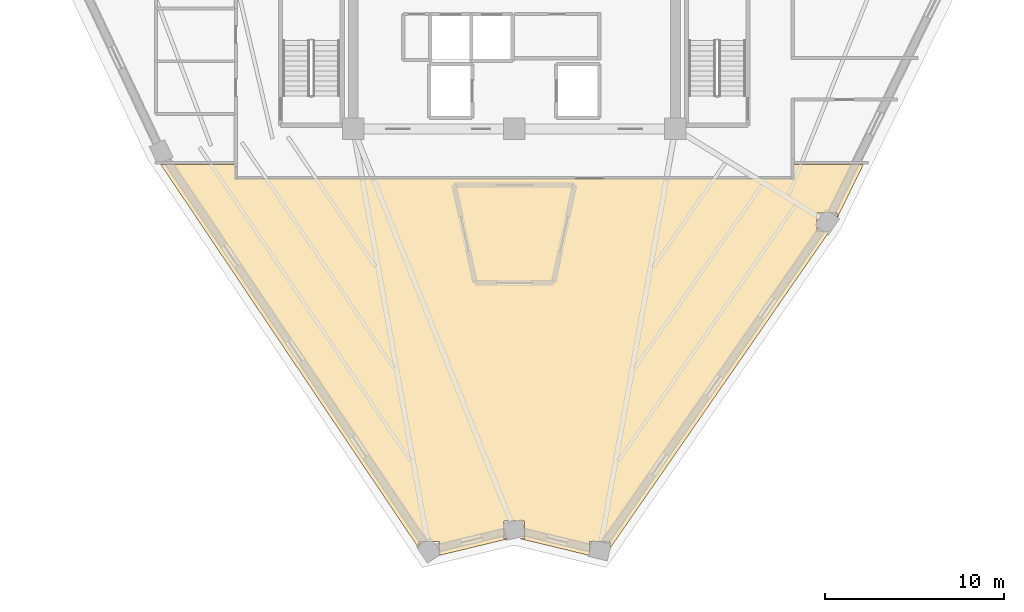
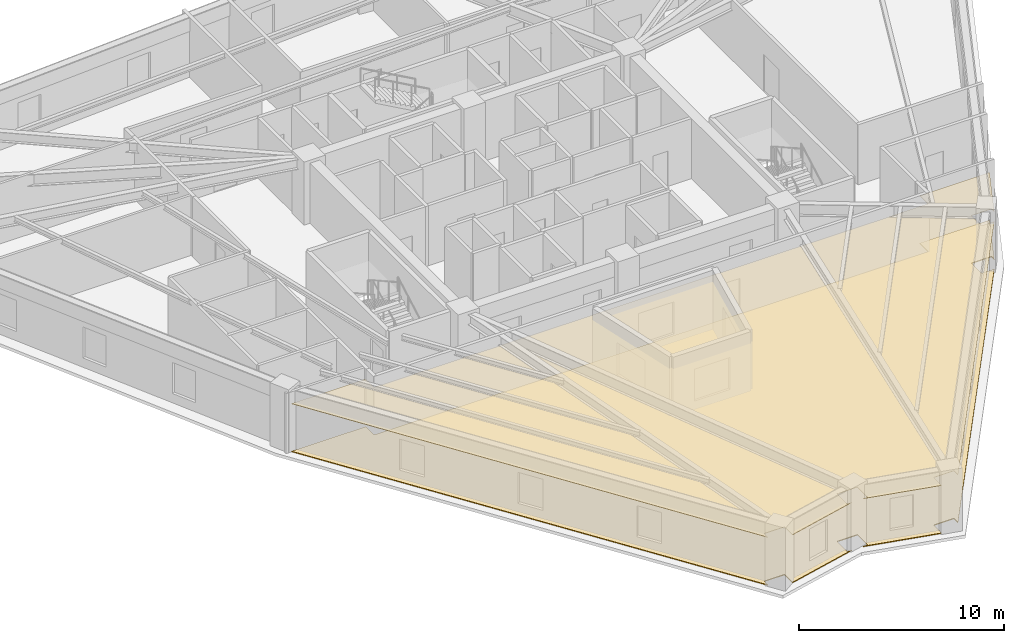
# One storey, part 8 of 9: 2 coverings.
"""IFC4 building model written with IfcOpenShell, lengths in metres."""

from ifc_helpers import new_model, si_unit, direction, frame, origin, place, context, subcontext, project, spatial, polyline, outline, extrude, material, layer, layer_set, type_object, element, save


model = new_model("IFC4")

# Units and contexts
model_context = context("Model", 3, precision=1e-05, world=origin(), true_north=direction((0.0, 1.0)))
body_context = subcontext(model_context, "Body", "Model", "MODEL_VIEW")
ifc_project = project(units=[si_unit("LENGTHUNIT", "METRE"), si_unit("AREAUNIT", "SQUARE_METRE"), si_unit("VOLUMEUNIT", "CUBIC_METRE"), si_unit("PLANEANGLEUNIT", "RADIAN"), si_unit("MASSUNIT", "GRAM", prefix="KILO")], contexts=[model_context])

# Site, building, storey
site_placement = place(None, origin())
site = spatial("IfcSite", under=ifc_project, at=site_placement, CompositionType="ELEMENT")
building_placement = place(site_placement, origin())
building = spatial("IfcBuilding", under=site, at=building_placement, Name="Liaohun Quay Tower", CompositionType="ELEMENT")
storey_placement = place(building_placement, frame((0.0, 0.0, 328.5)))
storey = spatial("IfcBuildingStorey", under=building, at=storey_placement, Name="L85", CompositionType="ELEMENT", Elevation=328.5)

# Coverings
ifc_material_1 = material(Name="Mineral-fibre acoustic ceiling tile")
ifc_layer_1 = layer(ifc_material_1, 0.02490234375, Name="Mineral-fibre acoustic ceiling tile")
ifc_layer_set_1 = layer_set([ifc_layer_1], Name="Mineral-fibre acoustic ceiling tile")
covering_type_1 = type_object("IfcCoveringType", Name="COV-CEIL-ACT", PredefinedType="CEILING", material=ifc_layer_set_1)
covering_1_placement = place(storey_placement, frame((0.0, 0.0, 2.85009765625)))
element("IfcCovering", 1, at=covering_1_placement, inside=storey, type_object=covering_type_1, Name="L85 Corporate Exhibition Gallery 08 Acoustic Ceiling", PredefinedType="CEILING", context=body_context, shape_type="SweptSolid", body=[
    extrude(outline(polyline([(44.419921875, 43.719970703125), (44.419921875, 44.52490234375), (40.23388671875, 44.52490234375), (54.66796875, 23.06689453125), (54.66796875, 23.448974609375), (55.80810546875, 23.448974609375), (55.80810546875, 22.669921875), (59.695068359375, 23.60888671875), (59.429931640625, 23.60888671875), (59.429931640625, 24.59912109375), (60.570068359375, 24.59912109375), (60.570068359375, 23.60888671875), (60.304931640625, 23.60888671875), (64.199951171875, 22.66796875), (64.199951171875, 23.447021484375), (65.340087890625, 23.447021484375), (65.340087890625, 23.054931640625), (77.632080078125, 40.806884765625), (76.906982421875, 40.806884765625), (76.906982421875, 41.797119140625), (78.047119140625, 41.797119140625), (78.047119140625, 41.534912109375), (79.510009765625, 44.52490234375), (75.580078125, 44.52490234375), (75.580078125, 43.719970703125), (44.419921875, 43.719970703125)])), origin(), (0.0, 0.0, 1.0), 0.02490234375),
])
ifc_material_2 = material(Name="Calcium-sulphate raised access floor tile")
ifc_layer_2 = layer(ifc_material_2, 0.044921875, Name="Calcium-sulphate raised access floor tile")
ifc_layer_set_2 = layer_set([ifc_layer_2], Name="Calcium-sulphate raised access floor tile")
covering_type_2 = type_object("IfcCoveringType", Name="COV-FLR-RAF", PredefinedType="FLOORING", material=ifc_layer_set_2)
covering_2_placement = place(storey_placement, origin())
element("IfcCovering", 2, at=covering_2_placement, inside=storey, type_object=covering_type_2, Name="L85 Corporate Exhibition Gallery 08 Floor Finish", PredefinedType="FLOORING", context=body_context, shape_type="SweptSolid", body=[
    extrude(outline(polyline([(44.419921875, 43.719970703125), (44.419921875, 44.52490234375), (40.23388671875, 44.52490234375), (54.66796875, 23.06689453125), (54.66796875, 23.448974609375), (55.80810546875, 23.448974609375), (55.80810546875, 22.669921875), (59.695068359375, 23.60888671875), (59.429931640625, 23.60888671875), (59.429931640625, 24.59912109375), (60.570068359375, 24.59912109375), (60.570068359375, 23.60888671875), (60.304931640625, 23.60888671875), (64.199951171875, 22.66796875), (64.199951171875, 23.447021484375), (65.340087890625, 23.447021484375), (65.340087890625, 23.054931640625), (77.632080078125, 40.806884765625), (76.906982421875, 40.806884765625), (76.906982421875, 41.797119140625), (78.047119140625, 41.797119140625), (78.047119140625, 41.534912109375), (79.510009765625, 44.52490234375), (75.580078125, 44.52490234375), (75.580078125, 43.719970703125), (44.419921875, 43.719970703125)])), origin(), (0.0, 0.0, 1.0), 0.044921875),
])

save(model, "model.ifc")
